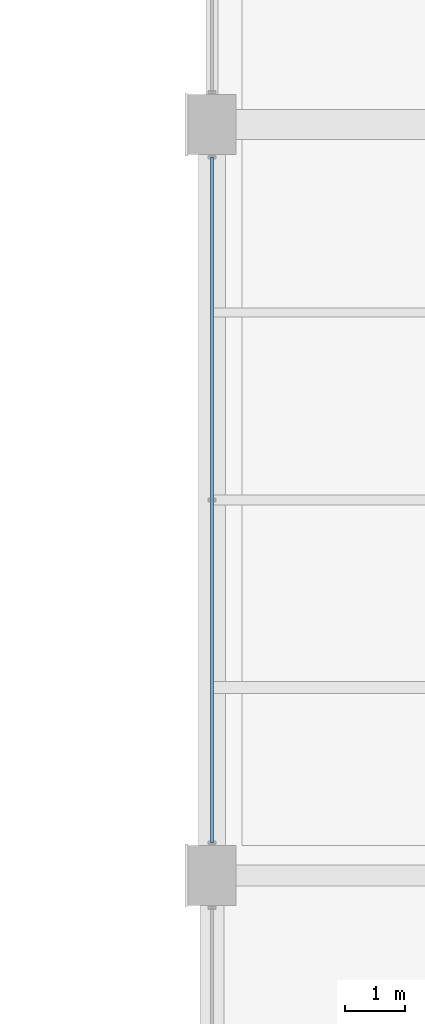
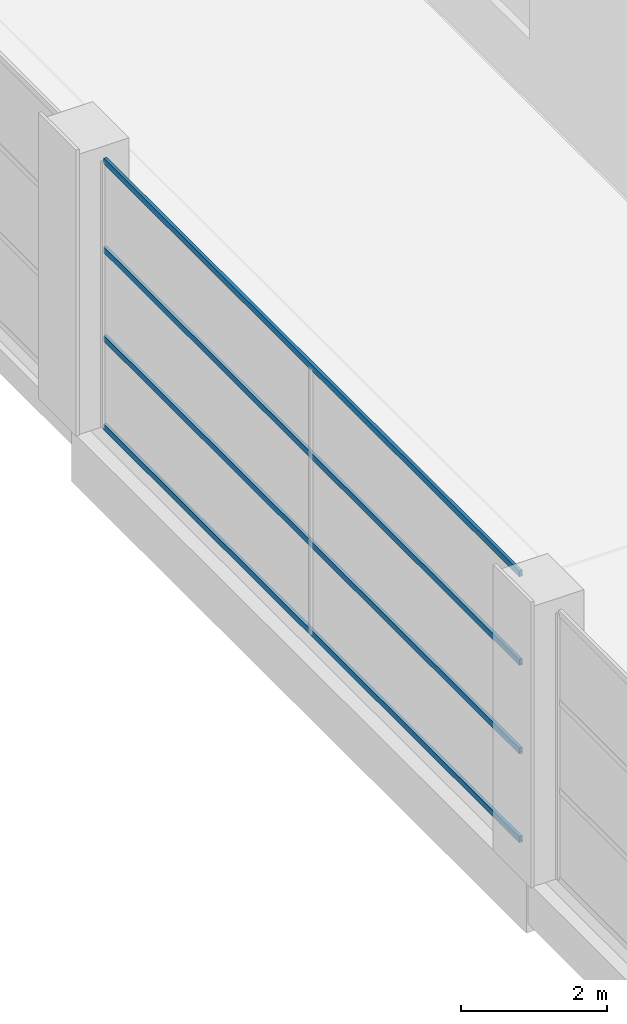
# One storey, part 57 of 112: 4 members, 1 element without a shape of its own.
"""IFC4 building model written with IfcOpenShell, lengths in metres."""

from ifc_helpers import new_model, si_unit, direction, frame, origin, origin_2d, place, context, subcontext, project, spatial, hollow_rectangle, extrude, material, material_profile, profile_set, type_object, element, aggregate, save


model = new_model("IFC4")

# Units and contexts
model_context = context("Model", 3, precision=1e-05, world=origin(), true_north=direction((0.0, 1.0)))
body_context = subcontext(model_context, "Body", "Model", "MODEL_VIEW")
ifc_project = project(units=[si_unit("LENGTHUNIT", "METRE"), si_unit("AREAUNIT", "SQUARE_METRE"), si_unit("VOLUMEUNIT", "CUBIC_METRE"), si_unit("PLANEANGLEUNIT", "RADIAN"), si_unit("MASSUNIT", "GRAM", prefix="KILO")], contexts=[model_context])

# Site, building, storey
site_placement = place(None, origin())
site = spatial("IfcSite", under=ifc_project, at=site_placement, CompositionType="ELEMENT")
building_placement = place(site_placement, origin())
building = spatial("IfcBuilding", under=site, at=building_placement, Name="Solvikara Media Centre", CompositionType="ELEMENT")
storey_placement = place(building_placement, frame((0.0, 0.0, 5.39990234375)))
storey = spatial("IfcBuildingStorey", under=building, at=storey_placement, Name="L01", CompositionType="ELEMENT", Elevation=5.39990234375)

# Curtain wall, members
ifc_material = material(Name="Anodised aluminium EN AW-6063", Category="aluminium")
curtain_wall_type = type_object("IfcCurtainWallType", Name="CW-12", PredefinedType="NOTDEFINED", material=ifc_material)
curtain_wall_placement = place(storey_placement, origin())
curtain_wall = element("IfcCurtainWall", 1, at=curtain_wall_placement, inside=storey, type_object=curtain_wall_type, Name="CW-L01-V2W-S5", PredefinedType="NOTDEFINED")
ifc_material_profile = material_profile(ifc_material, hollow_rectangle(XDim=0.050048828125, YDim=0.10009765625, WallThickness=0.0029296875, at=origin_2d()), Name="ALU-T 50x100x3")
ifc_profile_set = profile_set([ifc_material_profile], Name="Anodised aluminium EN AW-6063")
member_type = type_object("IfcMemberType", Name="MF-12", PredefinedType="USERDEFINED", material=ifc_profile_set)
member_1_placement = place(storey_placement, frame((127.5, 89.5400390625, 0.02001953125), z_axis=(0.0, 1.0, 0.0), x_axis=(-1.0, 0.0, 0.0)))
member_1 = element("IfcMember", 2, at=member_1_placement, type_object=member_type, Name="CW-L01-V2W-S5-T00", ObjectType="TRANSOM", PredefinedType="USERDEFINED", context=body_context, shape_type="SweptSolid", body=[
    extrude(hollow_rectangle(XDim=0.050048828125, YDim=0.10009765625, WallThickness=0.0029296875, at=origin_2d()), origin(), (0.0, 0.0, 1.0), 11.419921875),
])
member_2_placement = place(storey_placement, frame((127.5, 89.5400390625, 1.507080078125), z_axis=(0.0, 1.0, 0.0), x_axis=(-1.0, 0.0, 0.0)))
member_2 = element("IfcMember", 3, at=member_2_placement, type_object=member_type, Name="CW-L01-V2W-S5-T01", ObjectType="TRANSOM", PredefinedType="USERDEFINED", context=body_context, shape_type="SweptSolid", body=[
    extrude(hollow_rectangle(XDim=0.050048828125, YDim=0.10009765625, WallThickness=0.0029296875, at=origin_2d()), origin(), (0.0, 0.0, 1.0), 11.419921875),
])
member_3_placement = place(storey_placement, frame((127.5, 89.5400390625, 2.9931640625), z_axis=(0.0, 1.0, 0.0), x_axis=(-1.0, 0.0, 0.0)))
member_3 = element("IfcMember", 4, at=member_3_placement, type_object=member_type, Name="CW-L01-V2W-S5-T02", ObjectType="TRANSOM", PredefinedType="USERDEFINED", context=body_context, shape_type="SweptSolid", body=[
    extrude(hollow_rectangle(XDim=0.050048828125, YDim=0.10009765625, WallThickness=0.0029296875, at=origin_2d()), origin(), (0.0, 0.0, 1.0), 11.419921875),
])
member_4_placement = place(storey_placement, frame((127.5, 89.5400390625, 4.47998046875), z_axis=(0.0, 1.0, 0.0), x_axis=(-1.0, 0.0, 0.0)))
member_4 = element("IfcMember", 5, at=member_4_placement, type_object=member_type, Name="CW-L01-V2W-S5-T03", ObjectType="TRANSOM", PredefinedType="USERDEFINED", context=body_context, shape_type="SweptSolid", body=[
    extrude(hollow_rectangle(XDim=0.050048828125, YDim=0.10009765625, WallThickness=0.0029296875, at=origin_2d()), origin(), (0.0, 0.0, 1.0), 11.419921875),
])
aggregate(curtain_wall, [member_1, member_2, member_3, member_4])

save(model, "model.ifc")
